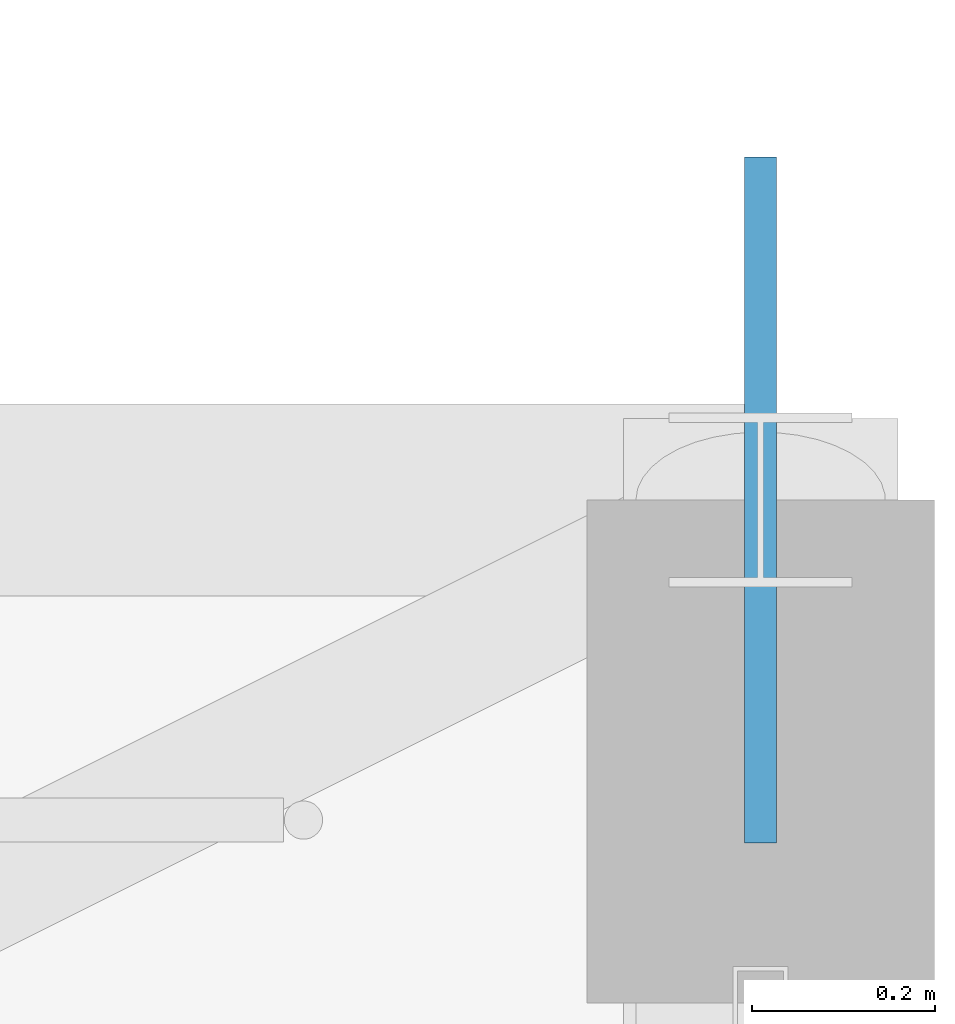
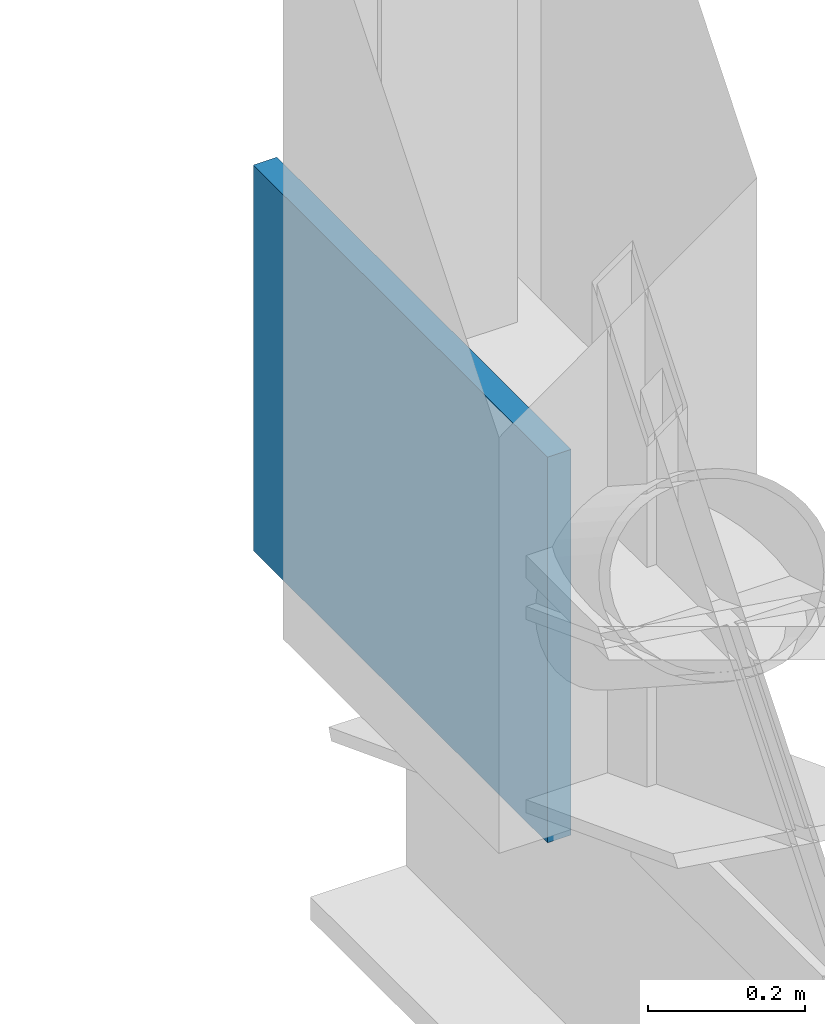
# One storey, part 192 of 204: 1 plate.
"""IFC4 building model written with IfcOpenShell, lengths in metres."""

from ifc_helpers import new_model, si_unit, direction, frame, origin, origin_2d, place, context, subcontext, project, spatial, rectangle, extrude, material, layer, layer_set, type_object, element, save


model = new_model("IFC4")

# Units and contexts
model_context = context("Model", 3, precision=1e-05, world=origin(), true_north=direction((0.0, 1.0)))
body_context = subcontext(model_context, "Body", "Model", "MODEL_VIEW")
ifc_project = project(units=[si_unit("LENGTHUNIT", "METRE"), si_unit("AREAUNIT", "SQUARE_METRE"), si_unit("VOLUMEUNIT", "CUBIC_METRE"), si_unit("PLANEANGLEUNIT", "RADIAN"), si_unit("MASSUNIT", "GRAM", prefix="KILO")], contexts=[model_context])

# Site, building, storey
site_placement = place(None, origin())
site = spatial("IfcSite", under=ifc_project, at=site_placement, CompositionType="ELEMENT")
building_placement = place(site_placement, origin())
building = spatial("IfcBuilding", under=site, at=building_placement, Name="Zilviju Railside Exhibition Hall", CompositionType="ELEMENT")
storey_placement = place(building_placement, frame((0.0, 0.0, 21.0)))
storey = spatial("IfcBuildingStorey", under=building, at=storey_placement, Name="RF", CompositionType="ELEMENT", Elevation=21.0)

# Plate
ifc_material = material(Name="Steel S355ML", Category="steel")
ifc_layer = layer(ifc_material, 0.034912109375)
ifc_layer_set = layer_set([ifc_layer], Name="Steel S355ML")
plate_type = type_object("IfcPlateType", Name="PLATE-GP-35", PredefinedType="SHEET", material=ifc_layer_set)
plate_placement = place(storey_placement, frame((216.0, 138.0, -3.75), z_axis=(0.0, 0.0, 1.0), x_axis=(1.0, 0.0, 0.0)))
element("IfcPlate", 1, at=plate_placement, inside=storey, type_object=plate_type, Name="V2 Arch Pin-Shoe Gusset Plate X=216.0", PredefinedType="SHEET", context=body_context, shape_type="SweptSolid", body=[
    extrude(rectangle(XDim=0.034912109375, YDim=0.75, at=origin_2d()), origin(), (0.0, 0.0, 1.0), 0.60009765625),
])

save(model, "model.ifc")
